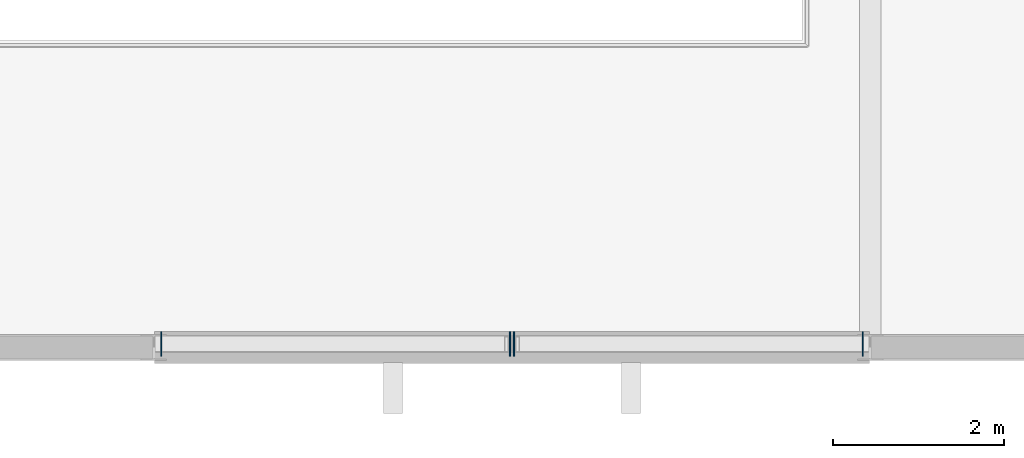
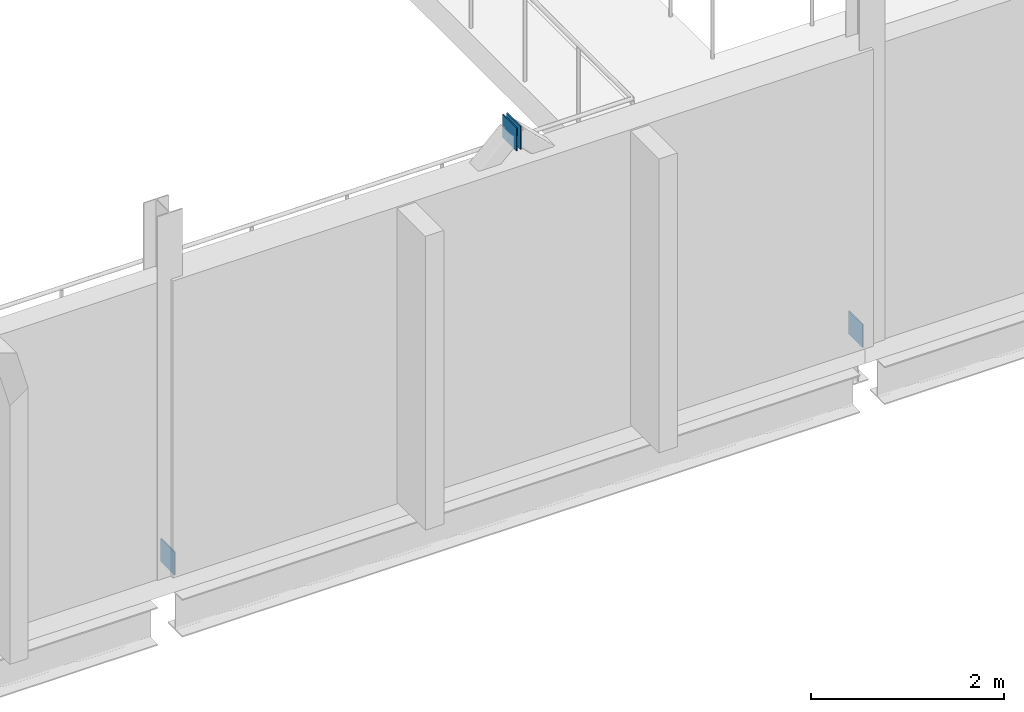
# One storey, part 142 of 172: 4 plates.
"""IFC4 building model written with IfcOpenShell, lengths in metres."""

from ifc_helpers import new_model, si_unit, direction, frame, origin, origin_2d, place, context, subcontext, project, spatial, rectangle, extrude, material, layer, layer_set, type_object, element, save


model = new_model("IFC4")

# Units and contexts
model_context = context("Model", 3, precision=1e-05, world=origin(), true_north=direction((0.0, 1.0)))
body_context = subcontext(model_context, "Body", "Model", "MODEL_VIEW")
ifc_project = project(units=[si_unit("LENGTHUNIT", "METRE"), si_unit("AREAUNIT", "SQUARE_METRE"), si_unit("VOLUMEUNIT", "CUBIC_METRE"), si_unit("PLANEANGLEUNIT", "RADIAN"), si_unit("MASSUNIT", "GRAM", prefix="KILO")], contexts=[model_context])

# Site, building, storey
site_placement = place(None, origin())
site = spatial("IfcSite", under=ifc_project, at=site_placement, CompositionType="ELEMENT")
building_placement = place(site_placement, origin())
building = spatial("IfcBuilding", under=site, at=building_placement, Name="Shengluoqiao Park Theatre", CompositionType="ELEMENT")
storey_placement = place(building_placement, frame((0.0, 0.0, 5.39990234375)))
storey = spatial("IfcBuildingStorey", under=building, at=storey_placement, Name="L01", CompositionType="ELEMENT", Elevation=5.39990234375)

# Plates
ifc_material = material(Name="Steel Q355", Category="steel")
ifc_layer = layer(ifc_material, 0.013916015625, Name="Steel Q355")
ifc_layer_set = layer_set([ifc_layer], Name="Steel Q355")
plate_type = type_object("IfcPlateType", Name="STR-PLT-EC-280", PredefinedType="SHEET", material=ifc_layer_set)
for number, where, z_axis, x_axis, name in (
    (1, (19.286865234375, 0.0400390625, -0.041748046875), (0.0, 0.0, 1.0), (1.0, 0.0, 0.0), "Hollow Tube End Cap Plate 00184"),
    (2, (23.376220703125, 0.0400390625, 3.892333984375), (0.0, 0.0, 1.0), (1.0, 0.0, 0.0), "Hollow Tube End Cap Plate 00185"),
    (3, (27.51318359375, 0.0400390625, -0.041748046875), (0.0, 0.0, 1.0), (-1.0, 0.0, 0.0), "Hollow Tube End Cap Plate 00186"),
    (4, (23.423828125, 0.0400390625, 3.892333984375), (0.0, 0.0, 1.0), (-1.0, 0.0, 0.0), "Hollow Tube End Cap Plate 00187"),
):
    element("IfcPlate", number, at=place(storey_placement, frame(where, z_axis=z_axis, x_axis=x_axis)), inside=storey, type_object=plate_type, Name=name, PredefinedType="SHEET", context=body_context, shape_type="SweptSolid", body=[
        extrude(rectangle(XDim=0.013916015625, YDim=0.2900390625, at=origin_2d()), origin(), (0.0, 0.0, 1.0), 0.2900390625),
    ])

save(model, "model.ifc")
